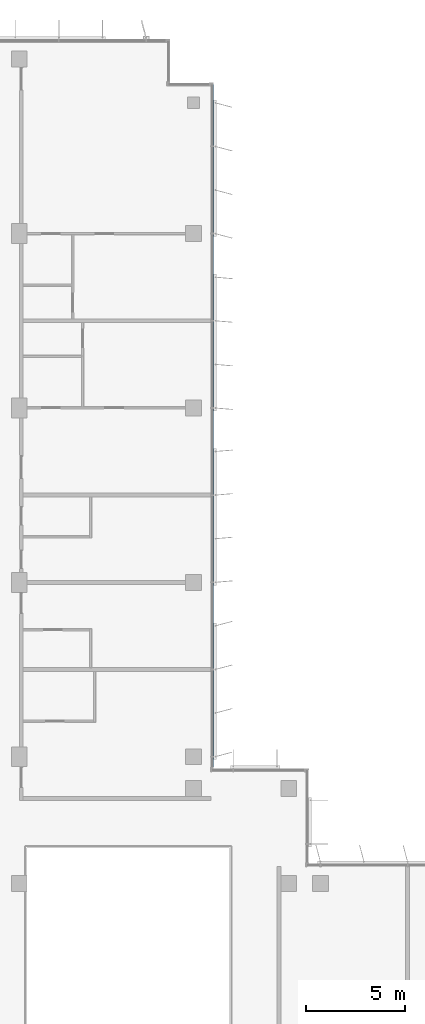
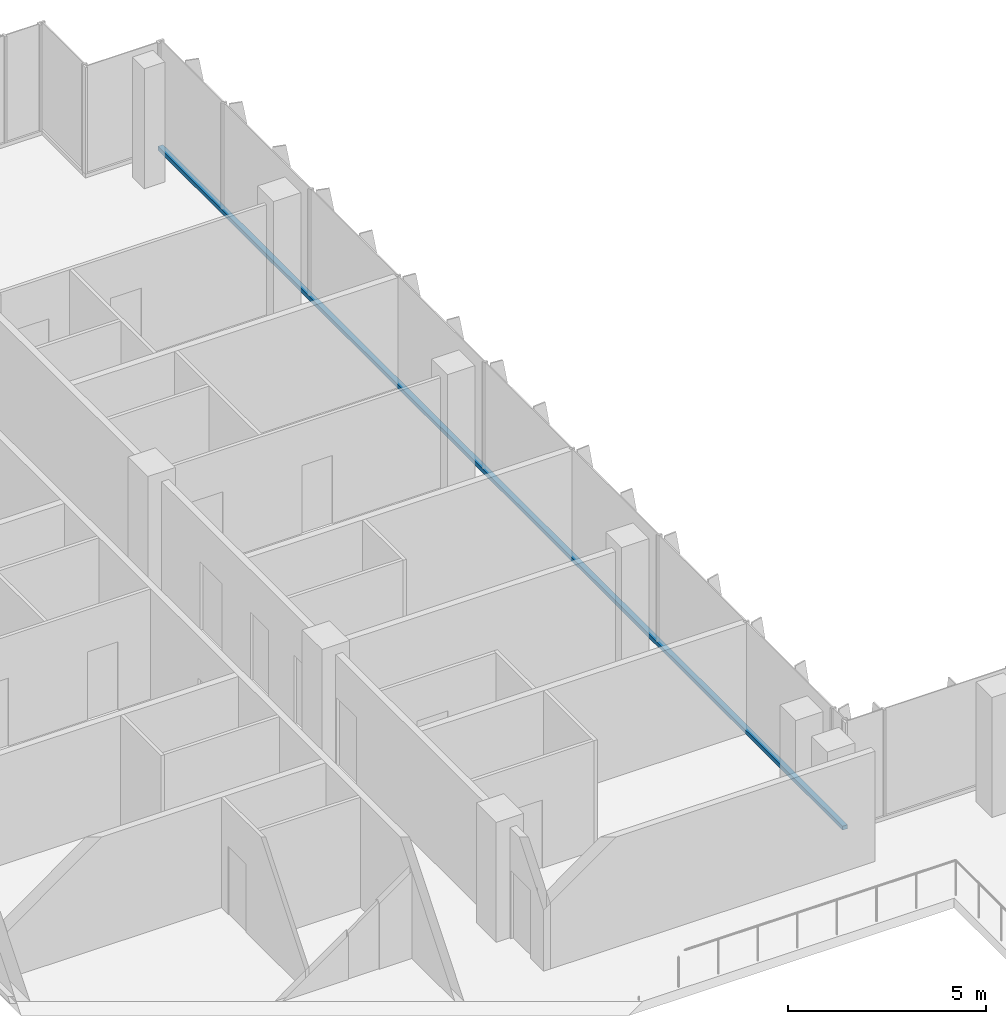
# One storey, part 5 of 16: 1 member, 1 element without a shape of its own.
"""IFC4 building model written with IfcOpenShell, lengths in metres."""

from ifc_helpers import new_model, si_unit, direction, frame, origin, origin_2d, place, context, subcontext, project, spatial, rectangle, extrude, material, material_profile, profile_set, type_object, element, aggregate, save


model = new_model("IFC4")

# Units and contexts
model_context = context("Model", 3, precision=1e-05, world=origin(), true_north=direction((0.0, 1.0)))
body_context = subcontext(model_context, "Body", "Model", "MODEL_VIEW")
ifc_project = project(units=[si_unit("LENGTHUNIT", "METRE"), si_unit("AREAUNIT", "SQUARE_METRE"), si_unit("VOLUMEUNIT", "CUBIC_METRE"), si_unit("PLANEANGLEUNIT", "RADIAN"), si_unit("MASSUNIT", "GRAM", prefix="KILO")], contexts=[model_context])

# Site, building, storey
site_placement = place(None, origin())
site = spatial("IfcSite", under=ifc_project, at=site_placement, CompositionType="ELEMENT")
building_placement = place(site_placement, origin())
building = spatial("IfcBuilding", under=site, at=building_placement, Name="Kemantara Hotel Tower", CompositionType="ELEMENT")
storey_placement = place(building_placement, frame((0.0, 0.0, 283.300048828125)))
storey = spatial("IfcBuildingStorey", under=building, at=storey_placement, Name="L71", CompositionType="ELEMENT", Elevation=283.300048828125)

# Curtain wall, member
ifc_material_1 = material(Name="Low-E tinted double insulated glass 36 mm", Category="glass")
curtain_wall_type = type_object("IfcCurtainWallType", Name="TOWER CURTAIN WALL, FRONT FACES", PredefinedType="USERDEFINED", material=ifc_material_1)
curtain_wall_placement = place(storey_placement, origin())
curtain_wall = element("IfcCurtainWall", 1, at=curtain_wall_placement, inside=storey, type_object=curtain_wall_type, Name="CW4 L71 T4-R15-1", ObjectType="TOWER CURTAIN WALL, FRONT FACES", PredefinedType="USERDEFINED")
ifc_material_2 = material(Name="Aluminium 6063-T6 bronze anodised", Category="aluminium")
ifc_material_profile = material_profile(ifc_material_2, rectangle(XDim=0.14990234375, YDim=0.1201171875, at=origin_2d()), Name="TOWER CURTAIN WALL, FRONT FACES TRANSOM")
ifc_profile_set = profile_set([ifc_material_profile], Name="Aluminium 6063-T6 bronze anodised")
member_type = type_object("IfcMemberType", Name="TOWER CURTAIN WALL, FRONT FACES TRANSOM", PredefinedType="USERDEFINED", material=ifc_profile_set)
member_placement = place(storey_placement, frame((21.925048828125, 26.800048828125, 0.06005859375), z_axis=(0.0, 1.0, 0.0), x_axis=(-1.0, 0.0, 0.0)))
member = element("IfcMember", 2, at=member_placement, type_object=member_type, Name="CW4 sill transom T4-R15-1", ObjectType="TRANSOM", PredefinedType="USERDEFINED", context=body_context, shape_type="SweptSolid", body=[
    extrude(rectangle(XDim=0.14990234375, YDim=0.1201171875, at=origin_2d()), origin(), (0.0, 0.0, 1.0), 34.599853515625),
])
aggregate(curtain_wall, [member])

save(model, "model.ifc")
